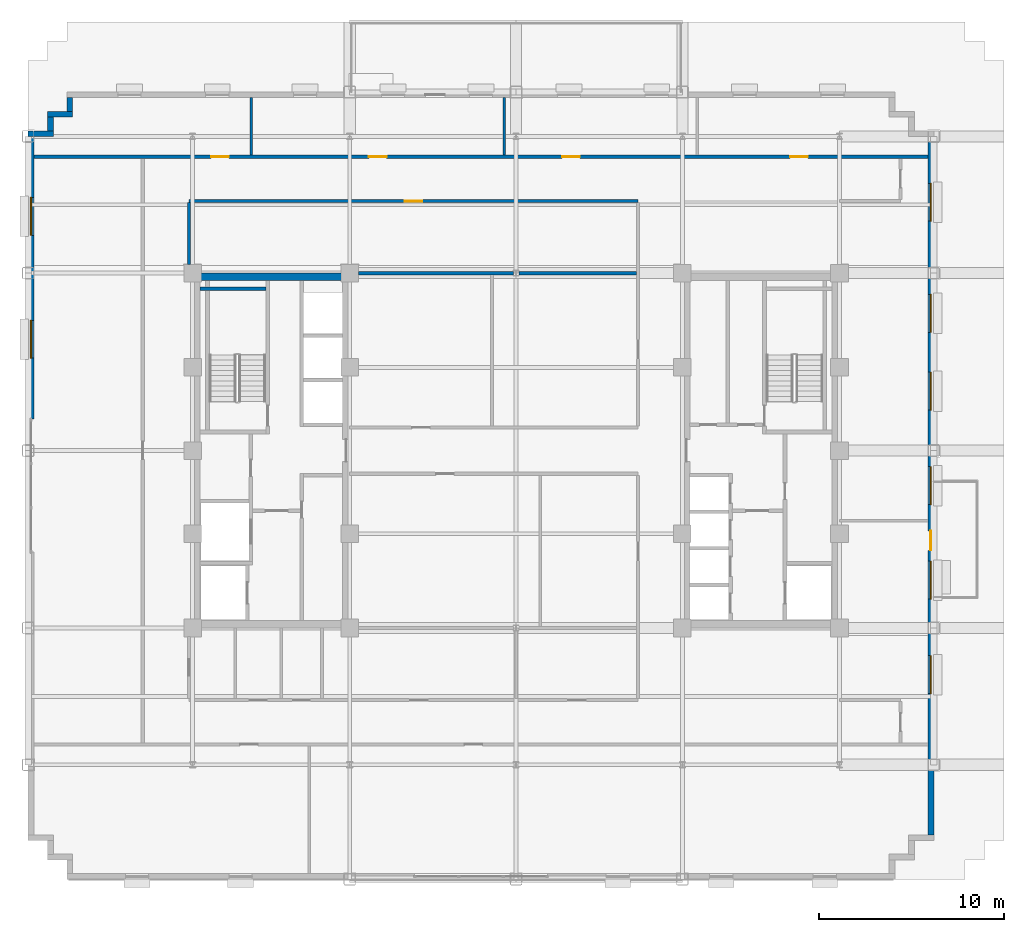
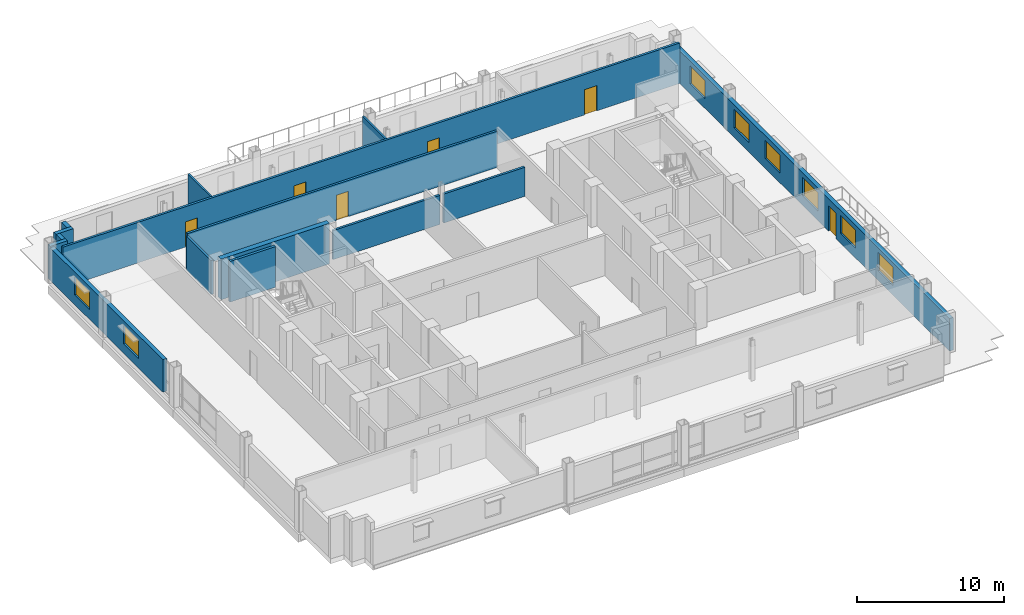
# One storey, part 9 of 17: 15 walls, 8 windows, 6 doors, 14 openings.
"""IFC4 building model written with IfcOpenShell, lengths in metres."""

from ifc_helpers import new_model, si_unit, direction, frame, frame_2d, origin, place, context, subcontext, project, spatial, rectangle, extrude, source, transform, mapped, material, layer, layer_set, type_object, type_shapes, element, fill, save


model = new_model("IFC4")

# Units and contexts
model_context = context("Model", 3, precision=1e-05, world=origin(), true_north=direction((0.0, 1.0)))
body_context = subcontext(model_context, "Body", "Model", "MODEL_VIEW")
ifc_project = project(units=[si_unit("LENGTHUNIT", "METRE"), si_unit("AREAUNIT", "SQUARE_METRE"), si_unit("VOLUMEUNIT", "CUBIC_METRE"), si_unit("PLANEANGLEUNIT", "RADIAN"), si_unit("MASSUNIT", "GRAM", prefix="KILO")], contexts=[model_context])

# Site, building, storey
site_placement = place(None, origin())
site = spatial("IfcSite", under=ifc_project, at=site_placement, CompositionType="ELEMENT")
building_placement = place(site_placement, origin())
building = spatial("IfcBuilding", under=site, at=building_placement, Name="Nuvemarco Arch Tower", CompositionType="ELEMENT")
storey_placement = place(building_placement, frame((0.0, 0.0, 167.64990234375)))
storey = spatial("IfcBuildingStorey", under=building, at=storey_placement, Name="L44", CompositionType="ELEMENT", Elevation=167.64990234375)

# Wall, openings, door, windows
ifc_material_1 = material(Name="Precast concrete C45/55", Category="concrete")
ifc_layer_1 = layer(ifc_material_1, 0.31005859375, Name="EW-UPP-310")
ifc_layer_set_1 = layer_set([ifc_layer_1], Name="Precast concrete C45/55")
wall_type_1 = type_object("IfcWallType", Name="EW-UPP-310", PredefinedType="STANDARD", material=ifc_layer_set_1)
wall_1_placement = place(storey_placement, frame((22.445068359375, -20.7939453125, 0.0), z_axis=(0.0, 0.0, 1.0), x_axis=(0.0, 1.0, 0.0)))
wall_1 = element("IfcWall", 1, at=wall_1_placement, inside=storey, type_object=wall_type_1, Name="L44 exterior precast facade wall 6", PredefinedType="STANDARD", context=body_context, shape_type="SweptSolid", body=[
    extrude(rectangle(XDim=37.787841796875, YDim=0.31005859375, at=frame_2d((18.89404296875, 0.0))), origin(), (0.0, 0.0, 1.0), 2.705078125),
])
opening_1_placement = place(wall_1_placement, frame((16.444091796875, 0.0, 0.0), z_axis=(0.0, 0.0, 1.0), x_axis=(-1.0, 0.0, 0.0)))
opening_1 = element("IfcOpeningElement", 2, at=opening_1_placement, cuts=wall_1, Name="Opening ED-5", PredefinedType="OPENING", context=body_context, shape_type="SweptSolid", body=[
    extrude(rectangle(XDim=1.050048828125, YDim=2.10009765625, at=frame_2d((0.52490234375, 1.050048828125))), frame((0.0, 0.1650390625, 0.0), z_axis=(0.0, -1.0, 0.0), x_axis=(1.0, 0.0, 0.0)), (0.0, 0.0, 1.0), 0.330078125),
])
opening_2_placement = place(wall_1_placement, frame((7.643798828125, 0.0, 0.800048828125)))
opening_2 = element("IfcOpeningElement", 3, at=opening_2_placement, cuts=wall_1, Name="Opening WN-12", PredefinedType="OPENING", context=body_context, shape_type="SweptSolid", body=[
    extrude(rectangle(XDim=2.050048828125, YDim=1.52001953125, at=frame_2d((1.02490234375, 0.760009765625))), frame((0.0, 0.1650390625, 0.0), z_axis=(0.0, -1.0, 0.0), x_axis=(1.0, 0.0, 0.0)), (0.0, 0.0, 1.0), 0.330078125),
])
opening_3_placement = place(wall_1_placement, frame((12.75634765625, 0.0, 0.800048828125)))
opening_3 = element("IfcOpeningElement", 4, at=opening_3_placement, cuts=wall_1, Name="Opening WN-12", PredefinedType="OPENING", context=body_context, shape_type="SweptSolid", body=[
    extrude(rectangle(XDim=2.050048828125, YDim=1.52001953125, at=frame_2d((1.02490234375, 0.760009765625))), frame((0.0, 0.1650390625, 0.0), z_axis=(0.0, -1.0, 0.0), x_axis=(1.0, 0.0, 0.0)), (0.0, 0.0, 1.0), 0.330078125),
])
opening_4_placement = place(wall_1_placement, frame((17.868896484375, 0.0, 0.800048828125)))
opening_4 = element("IfcOpeningElement", 5, at=opening_4_placement, cuts=wall_1, Name="Opening WN-12", PredefinedType="OPENING", context=body_context, shape_type="SweptSolid", body=[
    extrude(rectangle(XDim=2.050048828125, YDim=1.52001953125, at=frame_2d((1.02490234375, 0.760009765625))), frame((0.0, 0.1650390625, 0.0), z_axis=(0.0, -1.0, 0.0), x_axis=(1.0, 0.0, 0.0)), (0.0, 0.0, 1.0), 0.330078125),
])
opening_5_placement = place(wall_1_placement, frame((22.981689453125, 0.0, 0.800048828125)))
opening_5 = element("IfcOpeningElement", 6, at=opening_5_placement, cuts=wall_1, Name="Opening WN-12", PredefinedType="OPENING", context=body_context, shape_type="SweptSolid", body=[
    extrude(rectangle(XDim=2.050048828125, YDim=1.52001953125, at=frame_2d((1.02490234375, 0.760009765625))), frame((0.0, 0.1650390625, 0.0), z_axis=(0.0, -1.0, 0.0), x_axis=(1.0, 0.0, 0.0)), (0.0, 0.0, 1.0), 0.330078125),
])
opening_6_placement = place(wall_1_placement, frame((27.194091796875, 0.0, 0.800048828125)))
opening_6 = element("IfcOpeningElement", 7, at=opening_6_placement, cuts=wall_1, Name="Opening WN-12", PredefinedType="OPENING", context=body_context, shape_type="SweptSolid", body=[
    extrude(rectangle(XDim=2.050048828125, YDim=1.52001953125, at=frame_2d((1.02490234375, 0.760009765625))), frame((0.0, 0.1650390625, 0.0), z_axis=(0.0, -1.0, 0.0), x_axis=(1.0, 0.0, 0.0)), (0.0, 0.0, 1.0), 0.330078125),
])
opening_7_placement = place(wall_1_placement, frame((33.206787109375, 0.0, 0.800048828125)))
opening_7 = element("IfcOpeningElement", 8, at=opening_7_placement, cuts=wall_1, Name="Opening WN-12", PredefinedType="OPENING", context=body_context, shape_type="SweptSolid", body=[
    extrude(rectangle(XDim=2.050048828125, YDim=1.52001953125, at=frame_2d((1.02490234375, 0.760009765625))), frame((0.0, 0.1650390625, 0.0), z_axis=(0.0, -1.0, 0.0), x_axis=(1.0, 0.0, 0.0)), (0.0, 0.0, 1.0), 0.330078125),
])
ifc_material_2 = material(Name="Anodised bronze and laminated glass", Category="glass")
door_type_1 = type_object("IfcDoorType", Name="DR-EXT-TERR", OperationType="NOTDEFINED", PredefinedType="DOOR", material=ifc_material_2)
shared_shape_1 = source(origin(), body_context, "Body", "SweptSolid", [
    extrude(rectangle(XDim=1.050048828125, YDim=2.10009765625, at=frame_2d((0.52490234375, 1.050048828125))), frame((0.0, 0.02490234375, 0.0), z_axis=(0.0, -1.0, 0.0), x_axis=(1.0, 0.0, 0.0)), (0.0, 0.0, 1.0), 0.050048828125),
])
type_shapes(door_type_1, [shared_shape_1])
door_1_placement = place(opening_1_placement, origin())
door_1 = element("IfcDoor", 9, at=door_1_placement, inside=storey, type_object=door_type_1, Name="L44 spiral terrace access door", OperationType="SINGLE_SWING_LEFT", OverallHeight=2.10009765625, OverallWidth=1.050048828125, PredefinedType="DOOR", context=body_context, shape_type="MappedRepresentation", body=[
    mapped(shared_shape_1, transform((0.0, 0.0, 0.0), scale=1.0)),
])
fill(opening_1, door_1)
ifc_material_3 = material(Name="Insulated solar-control glass", Category="glass")
window_type = type_object("IfcWindowType", Name="WN-SET-2050x1520", PartitioningType="DOUBLE_PANEL_VERTICAL", PredefinedType="WINDOW", material=ifc_material_3)
shared_shape_2 = source(origin(), body_context, "Body", "SweptSolid", [
    extrude(rectangle(XDim=2.050048828125, YDim=1.52001953125, at=frame_2d((1.02490234375, 0.760009765625))), frame((0.0, 0.030029296875, 0.0), z_axis=(0.0, -1.0, 0.0), x_axis=(1.0, 0.0, 0.0)), (0.0, 0.0, 1.0), 0.06005859375),
])
type_shapes(window_type, [shared_shape_2])
window_1_placement = place(opening_2_placement, origin())
window_1 = element("IfcWindow", 10, at=window_1_placement, inside=storey, type_object=window_type, Name="L44 punched facade window 2", OverallHeight=1.52001953125, OverallWidth=2.050048828125, PartitioningType="SINGLE_PANEL", PredefinedType="WINDOW", context=body_context, shape_type="MappedRepresentation", body=[
    mapped(shared_shape_2, transform((0.0, 0.0, 0.0), scale=1.0)),
])
fill(opening_2, window_1)
window_2_placement = place(opening_3_placement, origin())
window_2 = element("IfcWindow", 11, at=window_2_placement, inside=storey, type_object=window_type, Name="L44 punched facade window 3", OverallHeight=1.52001953125, OverallWidth=2.050048828125, PartitioningType="SINGLE_PANEL", PredefinedType="WINDOW", context=body_context, shape_type="MappedRepresentation", body=[
    mapped(shared_shape_2, transform((0.0, 0.0, 0.0), scale=1.0)),
])
fill(opening_3, window_2)
window_3_placement = place(opening_4_placement, origin())
window_3 = element("IfcWindow", 12, at=window_3_placement, inside=storey, type_object=window_type, Name="L44 punched facade window 4", OverallHeight=1.52001953125, OverallWidth=2.050048828125, PartitioningType="SINGLE_PANEL", PredefinedType="WINDOW", context=body_context, shape_type="MappedRepresentation", body=[
    mapped(shared_shape_2, transform((0.0, 0.0, 0.0), scale=1.0)),
])
fill(opening_4, window_3)
window_4_placement = place(opening_5_placement, origin())
window_4 = element("IfcWindow", 13, at=window_4_placement, inside=storey, type_object=window_type, Name="L44 punched facade window 5", OverallHeight=1.52001953125, OverallWidth=2.050048828125, PartitioningType="SINGLE_PANEL", PredefinedType="WINDOW", context=body_context, shape_type="MappedRepresentation", body=[
    mapped(shared_shape_2, transform((0.0, 0.0, 0.0), scale=1.0)),
])
fill(opening_5, window_4)
window_5_placement = place(opening_6_placement, origin())
window_5 = element("IfcWindow", 14, at=window_5_placement, inside=storey, type_object=window_type, Name="L44 punched facade window 6", OverallHeight=1.52001953125, OverallWidth=2.050048828125, PartitioningType="SINGLE_PANEL", PredefinedType="WINDOW", context=body_context, shape_type="MappedRepresentation", body=[
    mapped(shared_shape_2, transform((0.0, 0.0, 0.0), scale=1.0)),
])
fill(opening_6, window_5)
window_6_placement = place(opening_7_placement, origin())
window_6 = element("IfcWindow", 15, at=window_6_placement, inside=storey, type_object=window_type, Name="L44 punched facade window 7", OverallHeight=1.52001953125, OverallWidth=2.050048828125, PartitioningType="SINGLE_PANEL", PredefinedType="WINDOW", context=body_context, shape_type="MappedRepresentation", body=[
    mapped(shared_shape_2, transform((0.0, 0.0, 0.0), scale=1.0)),
])
fill(opening_7, window_6)

# Walls
wall_2_placement = place(storey_placement, frame((-24.14501953125, 18.345947265625, 0.0), z_axis=(0.0, 0.0, 1.0), x_axis=(0.0, 1.0, 0.0)))
element("IfcWall", 16, at=wall_2_placement, inside=storey, type_object=wall_type_1, Name="L44 exterior precast facade wall 12", PredefinedType="STANDARD", context=body_context, shape_type="SweptSolid", body=[
    extrude(rectangle(XDim=0.748046875, YDim=0.31005859375, at=frame_2d((0.3740234375, 0.0))), origin(), (0.0, 0.0, 1.0), 2.816162109375),
])
wall_3_placement = place(storey_placement, frame((-25.35009765625, 18.195068359375, 0.0), z_axis=(0.0, 0.0, 1.0), x_axis=(1.0, 0.0, 0.0)))
element("IfcWall", 17, at=wall_3_placement, inside=storey, type_object=wall_type_1, Name="L44 exterior precast facade wall 13", PredefinedType="STANDARD", context=body_context, shape_type="SweptSolid", body=[
    extrude(rectangle(XDim=1.360107421875, YDim=0.31005859375, at=frame_2d((0.68017578125, 0.0))), origin(), (0.0, 0.0, 1.0), 2.816162109375),
])
wall_4_placement = place(storey_placement, frame((-25.195068359375, 17.2958984375, 0.0), z_axis=(0.0, 0.0, 1.0), x_axis=(0.0, 1.0, 0.0)))
element("IfcWall", 18, at=wall_4_placement, inside=storey, type_object=wall_type_1, Name="L44 exterior precast facade wall 14", PredefinedType="STANDARD", context=body_context, shape_type="SweptSolid", body=[
    extrude(rectangle(XDim=0.748046875, YDim=0.31005859375, at=frame_2d((0.3740234375, 0.0))), origin(), (0.0, 0.0, 1.0), 2.816162109375),
])
wall_5_placement = place(storey_placement, frame((-26.39990234375, 17.14501953125, 0.0), z_axis=(0.0, 0.0, 1.0), x_axis=(1.0, 0.0, 0.0)))
element("IfcWall", 19, at=wall_5_placement, inside=storey, type_object=wall_type_1, Name="L44 exterior precast facade wall 15", PredefinedType="STANDARD", context=body_context, shape_type="SweptSolid", body=[
    extrude(rectangle(XDim=1.35986328125, YDim=0.31005859375, at=frame_2d((0.679931640625, 0.0))), origin(), (0.0, 0.0, 1.0), 2.816162109375),
])

# Wall, openings, windows
wall_6_placement = place(storey_placement, frame((-26.2451171875, 1.699951171875, 0.0), z_axis=(0.0, 0.0, 1.0), x_axis=(0.0, 1.0, 0.0)))
wall_6 = element("IfcWall", 20, at=wall_6_placement, inside=storey, type_object=wall_type_1, Name="L44 exterior precast pier wall west right", PredefinedType="STANDARD", context=body_context, shape_type="SweptSolid", body=[
    extrude(rectangle(XDim=15.2939453125, YDim=0.31005859375, at=frame_2d((7.64697265625, 0.0))), origin(), (0.0, 0.0, 1.0), 2.705078125),
])
opening_8_placement = place(wall_6_placement, frame((3.298583984375, 0.0, 0.800048828125)))
opening_8 = element("IfcOpeningElement", 21, at=opening_8_placement, cuts=wall_6, Name="Opening WN-12", PredefinedType="OPENING", context=body_context, shape_type="SweptSolid", body=[
    extrude(rectangle(XDim=2.050048828125, YDim=1.52001953125, at=frame_2d((1.02490234375, 0.760009765625))), frame((0.0, 0.1650390625, 0.0), z_axis=(0.0, -1.0, 0.0), x_axis=(1.0, 0.0, 0.0)), (0.0, 0.0, 1.0), 0.330078125),
])
opening_9_placement = place(wall_6_placement, frame((9.945556640625, 0.0, 0.800048828125)))
opening_9 = element("IfcOpeningElement", 22, at=opening_9_placement, cuts=wall_6, Name="Opening WN-12", PredefinedType="OPENING", context=body_context, shape_type="SweptSolid", body=[
    extrude(rectangle(XDim=2.050048828125, YDim=1.52001953125, at=frame_2d((1.02490234375, 0.760009765625))), frame((0.0, 0.1650390625, 0.0), z_axis=(0.0, -1.0, 0.0), x_axis=(1.0, 0.0, 0.0)), (0.0, 0.0, 1.0), 0.330078125),
])
window_7_placement = place(opening_8_placement, origin())
window_7 = element("IfcWindow", 23, at=window_7_placement, inside=storey, type_object=window_type, Name="L44 punched facade window 1", OverallHeight=1.52001953125, OverallWidth=2.050048828125, PartitioningType="SINGLE_PANEL", PredefinedType="WINDOW", context=body_context, shape_type="MappedRepresentation", body=[
    mapped(shared_shape_2, transform((0.0, 0.0, 0.0), scale=1.0)),
])
fill(opening_8, window_7)
window_8_placement = place(opening_9_placement, origin())
window_8 = element("IfcWindow", 24, at=window_8_placement, inside=storey, type_object=window_type, Name="L44 punched facade window 2", OverallHeight=1.52001953125, OverallWidth=2.050048828125, PartitioningType="SINGLE_PANEL", PredefinedType="WINDOW", context=body_context, shape_type="MappedRepresentation", body=[
    mapped(shared_shape_2, transform((0.0, 0.0, 0.0), scale=1.0)),
])
fill(opening_9, window_8)

# Walls
ifc_material_4 = material(Name="Concrete C60/75", Category="concrete")
ifc_layer_2 = layer(ifc_material_4, 0.39990234375, Name="WL-CORE-400")
ifc_layer_set_2 = layer_set([ifc_layer_2], Name="Concrete C60/75")
wall_type_2 = type_object("IfcWallType", Name="WL-CORE-400", PredefinedType="SHEAR", material=ifc_layer_set_2)
wall_7_placement = place(storey_placement, frame((-17.5, 9.39990234375, 0.0), z_axis=(0.0, 0.0, 1.0), x_axis=(1.0, 0.0, 0.0)))
element("IfcWall", 25, at=wall_7_placement, inside=storey, type_object=wall_type_2, Name="L44 W-core shear wall N", PredefinedType="SHEAR", context=body_context, shape_type="SweptSolid", body=[
    extrude(rectangle(XDim=8.5, YDim=0.39990234375, at=frame_2d((4.25, 0.0))), origin(), (0.0, 0.0, 1.0), 3.3701171875),
])
ifc_material_5 = material(Name="Fire-rated gypsum drywall partition")
ifc_layer_3 = layer(ifc_material_5, 0.179931640625, Name="WL-CORR-180")
ifc_layer_set_3 = layer_set([ifc_layer_3], Name="Fire-rated gypsum drywall partition")
wall_type_3 = type_object("IfcWallType", Name="WL-CORR-180", PredefinedType="PARTITIONING", material=ifc_layer_set_3)
wall_8_placement = place(storey_placement, frame((-8.529052734375, 9.60009765625, 0.0), z_axis=(0.0, 0.0, 1.0), x_axis=(1.0, 0.0, 0.0)))
element("IfcWall", 26, at=wall_8_placement, inside=storey, type_object=wall_type_3, Name="L44 interior wall IW-L44-009", PredefinedType="PARTITIONING", context=body_context, shape_type="SweptSolid", body=[
    extrude(rectangle(XDim=8.378173828125, YDim=0.179931640625, at=frame_2d((4.18896484375, 0.0))), origin(), (0.0, 0.0, 1.0), 2.405029296875),
])
wall_9_placement = place(storey_placement, frame((0.15087890625, 9.60009765625, 0.0), z_axis=(0.0, 0.0, 1.0), x_axis=(1.0, 0.0, 0.0)))
element("IfcWall", 27, at=wall_9_placement, inside=storey, type_object=wall_type_3, Name="L44 interior wall IW-L44-010", PredefinedType="PARTITIONING", context=body_context, shape_type="SweptSolid", body=[
    extrude(rectangle(XDim=6.363037109375, YDim=0.179931640625, at=frame_2d((3.181640625, 0.0))), origin(), (0.0, 0.0, 1.0), 2.405029296875),
])

# Wall, opening, door
wall_10_placement = place(storey_placement, frame((-17.699951171875, 13.5, 0.0), z_axis=(0.0, 0.0, 1.0), x_axis=(1.0, 0.0, 0.0)))
wall_10 = element("IfcWall", 28, at=wall_10_placement, inside=storey, type_object=wall_type_3, Name="L44 interior wall IW-L44-011", PredefinedType="PARTITIONING", context=body_context, shape_type="SweptSolid", body=[
    extrude(rectangle(XDim=24.300048828125, YDim=0.179931640625, at=frame_2d((12.14990234375, 0.0))), origin(), (0.0, 0.0, 1.0), 3.008056640625),
])
opening_10_placement = place(wall_10_placement, frame((11.669921875, 0.0, 0.0)))
opening_10 = element("IfcOpeningElement", 29, at=opening_10_placement, cuts=wall_10, Name="Opening FD-5", PredefinedType="OPENING", context=body_context, shape_type="SweptSolid", body=[
    extrude(rectangle(XDim=0.9599609375, YDim=2.10009765625, at=frame_2d((0.47998046875, 1.050048828125))), frame((0.0, 0.099853515625, 0.0), z_axis=(0.0, -1.0, 0.0), x_axis=(1.0, 0.0, 0.0)), (0.0, 0.0, 1.0), 0.199951171875),
])
ifc_material_6 = material(Name="Timber fire door", Category="wood")
door_type_2 = type_object("IfcDoorType", Name="DR-CORR-FD", OperationType="NOTDEFINED", PredefinedType="DOOR", material=ifc_material_6)
shared_shape_3 = source(origin(), body_context, "Body", "SweptSolid", [
    extrude(rectangle(XDim=0.9599609375, YDim=2.10009765625, at=frame_2d((0.47998046875, 1.050048828125))), frame((0.0, 0.02490234375, 0.0), z_axis=(0.0, -1.0, 0.0), x_axis=(1.0, 0.0, 0.0)), (0.0, 0.0, 1.0), 0.050048828125),
])
type_shapes(door_type_2, [shared_shape_3])
door_2_placement = place(opening_10_placement, origin())
door_2 = element("IfcDoor", 30, at=door_2_placement, inside=storey, type_object=door_type_2, Name="L44 door DR-L44-IN_N1", OperationType="SINGLE_SWING_LEFT", OverallHeight=2.10009765625, OverallWidth=0.9599609375, PredefinedType="DOOR", context=body_context, shape_type="MappedRepresentation", body=[
    mapped(shared_shape_3, transform((0.0, 0.0, 0.0), scale=1.0)),
])
fill(opening_10, door_2)

# Wall, openings, doors
wall_11_placement = place(storey_placement, frame((-26.090087890625, 15.89990234375, 0.0), z_axis=(0.0, 0.0, 1.0), x_axis=(1.0, 0.0, 0.0)))
wall_11 = element("IfcWall", 31, at=wall_11_placement, inside=storey, type_object=wall_type_3, Name="L44 interior wall IW-L44-013", PredefinedType="PARTITIONING", context=body_context, shape_type="SweptSolid", body=[
    extrude(rectangle(XDim=48.380126953125, YDim=0.179931640625, at=frame_2d((24.18994140625, 0.0))), origin(), (0.0, 0.0, 1.0), 3.360107421875),
])
opening_11_placement = place(wall_11_placement, frame((18.1201171875, 0.0, 0.0)))
opening_11 = element("IfcOpeningElement", 32, at=opening_11_placement, cuts=wall_11, Name="Opening FD-5", PredefinedType="OPENING", context=body_context, shape_type="SweptSolid", body=[
    extrude(rectangle(XDim=0.9599609375, YDim=2.10009765625, at=frame_2d((0.47998046875, 1.050048828125))), frame((0.0, 0.099853515625, 0.0), z_axis=(0.0, -1.0, 0.0), x_axis=(1.0, 0.0, 0.0)), (0.0, 0.0, 1.0), 0.199951171875),
])
opening_12_placement = place(wall_11_placement, frame((40.9150390625, 0.0, 0.0)))
opening_12 = element("IfcOpeningElement", 33, at=opening_12_placement, cuts=wall_11, Name="Opening FD-5", PredefinedType="OPENING", context=body_context, shape_type="SweptSolid", body=[
    extrude(rectangle(XDim=0.9599609375, YDim=2.10009765625, at=frame_2d((0.47998046875, 1.050048828125))), frame((0.0, 0.099853515625, 0.0), z_axis=(0.0, -1.0, 0.0), x_axis=(1.0, 0.0, 0.0)), (0.0, 0.0, 1.0), 0.199951171875),
])
opening_13_placement = place(wall_11_placement, frame((28.5849609375, 0.0, 0.0)))
opening_13 = element("IfcOpeningElement", 34, at=opening_13_placement, cuts=wall_11, Name="Opening FD-5", PredefinedType="OPENING", context=body_context, shape_type="SweptSolid", body=[
    extrude(rectangle(XDim=0.9599609375, YDim=2.10009765625, at=frame_2d((0.47998046875, 1.050048828125))), frame((0.0, 0.099853515625, 0.0), z_axis=(0.0, -1.0, 0.0), x_axis=(1.0, 0.0, 0.0)), (0.0, 0.0, 1.0), 0.199951171875),
])
opening_14_placement = place(wall_11_placement, frame((9.594970703125, 0.0, 0.0)))
opening_14 = element("IfcOpeningElement", 35, at=opening_14_placement, cuts=wall_11, Name="Opening FD-5", PredefinedType="OPENING", context=body_context, shape_type="SweptSolid", body=[
    extrude(rectangle(XDim=0.9599609375, YDim=2.10009765625, at=frame_2d((0.47998046875, 1.050048828125))), frame((0.0, 0.099853515625, 0.0), z_axis=(0.0, -1.0, 0.0), x_axis=(1.0, 0.0, 0.0)), (0.0, 0.0, 1.0), 0.199951171875),
])
door_3_placement = place(opening_11_placement, origin())
door_3 = element("IfcDoor", 36, at=door_3_placement, inside=storey, type_object=door_type_2, Name="L44 door DR-L44-N_2", OperationType="SINGLE_SWING_LEFT", OverallHeight=2.10009765625, OverallWidth=0.9599609375, PredefinedType="DOOR", context=body_context, shape_type="MappedRepresentation", body=[
    mapped(shared_shape_3, transform((0.0, 0.0, 0.0), scale=1.0)),
])
fill(opening_11, door_3)
door_4_placement = place(opening_12_placement, origin())
door_4 = element("IfcDoor", 37, at=door_4_placement, inside=storey, type_object=door_type_2, Name="L44 door DR-L44-N_4", OperationType="SINGLE_SWING_RIGHT", OverallHeight=2.10009765625, OverallWidth=0.9599609375, PredefinedType="DOOR", context=body_context, shape_type="MappedRepresentation", body=[
    mapped(shared_shape_3, transform((0.0, 0.0, 0.0), scale=1.0)),
])
fill(opening_12, door_4)
door_5_placement = place(opening_13_placement, origin())
door_5 = element("IfcDoor", 38, at=door_5_placement, inside=storey, type_object=door_type_2, Name="L44 door DR-L44-N_3", OperationType="SINGLE_SWING_RIGHT", OverallHeight=2.10009765625, OverallWidth=0.9599609375, PredefinedType="DOOR", context=body_context, shape_type="MappedRepresentation", body=[
    mapped(shared_shape_3, transform((0.0, 0.0, 0.0), scale=1.0)),
])
fill(opening_13, door_5)
door_6_placement = place(opening_14_placement, origin())
door_6 = element("IfcDoor", 39, at=door_6_placement, inside=storey, type_object=door_type_2, Name="L44 door DR-L44-N_1", OperationType="SINGLE_SWING_LEFT", OverallHeight=2.10009765625, OverallWidth=0.9599609375, PredefinedType="DOOR", context=body_context, shape_type="MappedRepresentation", body=[
    mapped(shared_shape_3, transform((0.0, 0.0, 0.0), scale=1.0)),
])
fill(opening_14, door_6)

# Walls
wall_12_placement = place(storey_placement, frame((-17.699951171875, 10.071044921875, 0.0), z_axis=(0.0, 0.0, 1.0), x_axis=(0.0, 1.0, 0.0)))
element("IfcWall", 40, at=wall_12_placement, inside=storey, type_object=wall_type_3, Name="L44 interior wall IW-L44-016", PredefinedType="PARTITIONING", context=body_context, shape_type="SweptSolid", body=[
    extrude(rectangle(XDim=3.343017578125, YDim=0.179931640625, at=frame_2d((1.67138671875, 0.0))), origin(), (0.0, 0.0, 1.0), 2.816162109375),
])
ifc_material_7 = material(Name="Gypsum plasterboard partition")
ifc_layer_4 = layer(ifc_material_7, 0.139892578125, Name="WL-ROOM-140")
ifc_layer_set_4 = layer_set([ifc_layer_4], Name="Gypsum plasterboard partition")
wall_type_4 = type_object("IfcWallType", Name="WL-ROOM-140", PredefinedType="PARTITIONING", material=ifc_layer_set_4)
for number, where, z_axis, x_axis, name in (
    (41, (-14.330078125, 15.986083984375, 0.0), (0.0, 0.0, 1.0), (0.0, 1.0, 0.0), "L44 interior wall IW-L44-018"),
    (42, (-0.64990234375, 15.986083984375, 0.0), (0.0, 0.0, 1.0), (0.0, 1.0, 0.0), "L44 interior wall IW-L44-023"),
):
    element("IfcWall", number, at=place(storey_placement, frame(where, z_axis=z_axis, x_axis=x_axis)), inside=storey, type_object=wall_type_4, Name=name, PredefinedType="PARTITIONING", context=body_context, shape_type="SweptSolid", body=[
        extrude(rectangle(XDim=3.10400390625, YDim=0.139892578125, at=frame_2d((1.552001953125, 0.0))), origin(), (0.0, 0.0, 1.0), 3.360107421875),
    ])
ifc_material_8 = material(Name="Concrete C50/60", Category="concrete")
ifc_layer_5 = layer(ifc_material_8, 0.199951171875, Name="WL-SHAFT-220")
ifc_layer_set_5 = layer_set([ifc_layer_5], Name="Concrete C50/60")
wall_type_5 = type_object("IfcWallType", Name="WL-SHAFT-220", PredefinedType="SHEAR", material=ifc_layer_set_5)
wall_13_placement = place(storey_placement, frame((-17.10498046875, 8.75, 0.0), z_axis=(0.0, 0.0, 1.0), x_axis=(1.0, 0.0, 0.0)))
element("IfcWall", 43, at=wall_13_placement, inside=storey, type_object=wall_type_5, Name="L44 structural shaft wall SW-L44-W-ST1N", PredefinedType="SHEAR", context=body_context, shape_type="SweptSolid", body=[
    extrude(rectangle(XDim=3.570068359375, YDim=0.199951171875, at=frame_2d((1.78515625, 0.0))), origin(), (0.0, 0.0, 1.0), 3.3701171875),
])

save(model, "model.ifc")
